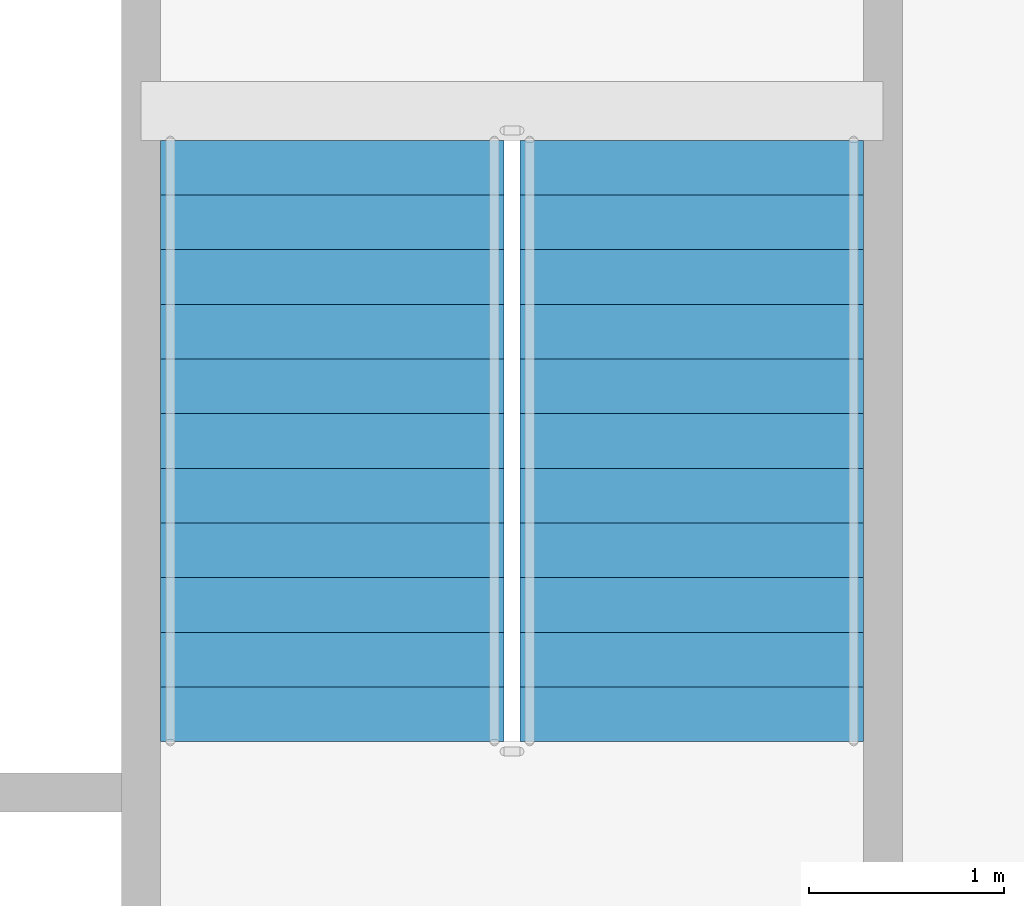
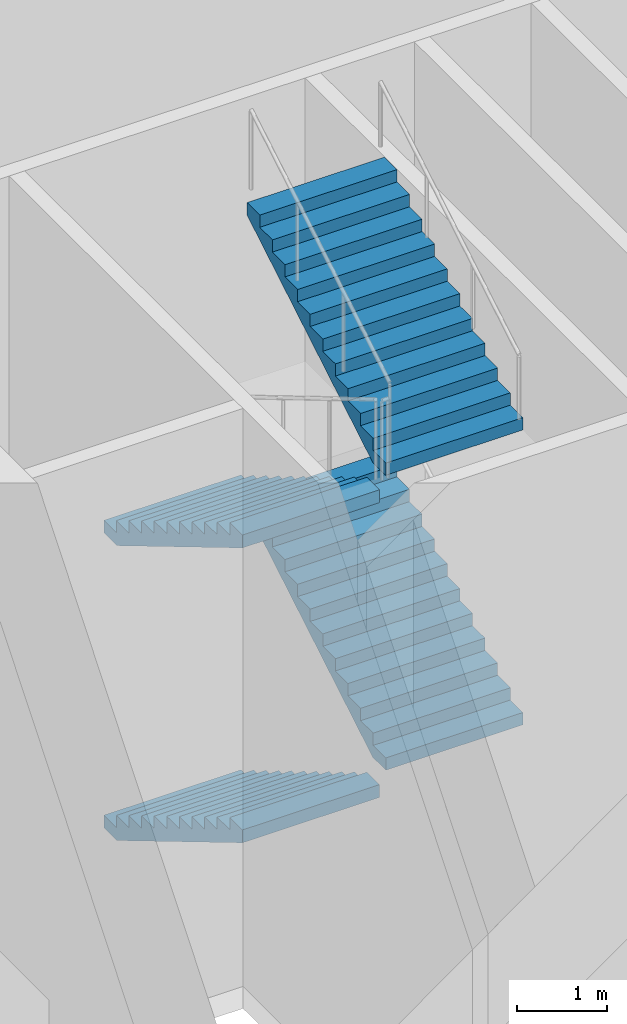
# One storey, part 51 of 63: 4 stair flights, 1 element without a shape of its own.
"""IFC4 building model written with IfcOpenShell, lengths in metres."""

from ifc_helpers import new_model, si_unit, direction, frame, origin, place, context, subcontext, project, spatial, faceted_brep, material, type_object, element, aggregate, save


model = new_model("IFC4")

# Units and contexts
model_context = context("Model", 3, precision=1e-05, world=origin(), true_north=direction((0.0, 1.0)))
body_context = subcontext(model_context, "Body", "Model", "MODEL_VIEW")
ifc_project = project(units=[si_unit("LENGTHUNIT", "METRE"), si_unit("AREAUNIT", "SQUARE_METRE"), si_unit("VOLUMEUNIT", "CUBIC_METRE"), si_unit("PLANEANGLEUNIT", "RADIAN"), si_unit("MASSUNIT", "GRAM", prefix="KILO")], contexts=[model_context])

# Site, building, storey
site_placement = place(None, origin())
site = spatial("IfcSite", under=ifc_project, at=site_placement, CompositionType="ELEMENT")
building_placement = place(site_placement, origin())
building = spatial("IfcBuilding", under=site, at=building_placement, Name="Tarsis Ring Headquarters", CompositionType="ELEMENT")
storey_placement = place(building_placement, frame((0.0, 0.0, 139.60009765625)))
storey = spatial("IfcBuildingStorey", under=building, at=storey_placement, Name="L32", CompositionType="ELEMENT", Elevation=139.60009765625)

# Stair, stair flights
ifc_material_1 = material(Name="Core stair 1760")
stair_type = type_object("IfcStairType", Name="Core stair 1760", PredefinedType="HALF_TURN_STAIR", material=ifc_material_1)
stair_placement = place(storey_placement, origin())
stair = element("IfcStair", 1, at=stair_placement, inside=storey, type_object=stair_type, Name="L32 Exit stair C", PredefinedType="HALF_TURN_STAIR")
ifc_material_2 = material(Name="Concrete C40/50", Category="concrete")
stair_flight_type = type_object("IfcStairFlightType", Name="Core stair flight 1760", PredefinedType="STRAIGHT", material=ifc_material_2)
stair_flight_1_placement = place(storey_placement, frame((-5.419921875, -3.659912109375, 0.0), z_axis=(0.0, 0.0, 1.0), x_axis=(0.0, -1.0, 0.0)))
stair_flight_1 = element("IfcStairFlight", 2, at=stair_flight_1_placement, type_object=stair_flight_type, Name="Stair ST3 flight 1", NumberOfRisers=12, NumberOfTreads=11, PredefinedType="STRAIGHT", RiserHeight=0.166666667, TreadLength=0.28, context=body_context, shape_type="Brep", body=[
    faceted_brep([(0.0, 0.8798828125, 0.0), (0.0, 0.8798828125, 0.166748046875), (0.280029296875, 0.8798828125, 0.166748046875), (0.280029296875, 0.8798828125, 0.333251953125), (0.56005859375, 0.8798828125, 0.333251953125), (0.56005859375, 0.8798828125, 0.5), (0.840087890625, 0.8798828125, 0.5), (0.840087890625, 0.8798828125, 0.666748046875), (1.1201171875, 0.8798828125, 0.666748046875), (1.1201171875, 0.8798828125, 0.833251953125), (1.39990234375, 0.8798828125, 0.833251953125), (1.39990234375, 0.8798828125, 1.0), (1.679931640625, 0.8798828125, 1.0), (1.679931640625, 0.8798828125, 1.166748046875), (1.9599609375, 0.8798828125, 1.166748046875), (1.9599609375, 0.8798828125, 1.333251953125), (2.239990234375, 0.8798828125, 1.333251953125), (2.239990234375, 0.8798828125, 1.5), (2.52001953125, 0.8798828125, 1.5), (2.52001953125, 0.8798828125, 1.666748046875), (2.800048828125, 0.8798828125, 1.666748046875), (2.800048828125, 0.8798828125, 1.833251953125), (3.080078125, 0.8798828125, 1.833251953125), (3.080078125, 0.8798828125, 1.658935546875), (0.29296875, 0.8798828125, 0.0), (0.29296875, -0.8798828125, 0.0), (3.080078125, -0.8798828125, 1.658935546875), (3.080078125, -0.8798828125, 1.833251953125), (2.800048828125, -0.8798828125, 1.833251953125), (2.800048828125, -0.8798828125, 1.666748046875), (2.52001953125, -0.8798828125, 1.666748046875), (2.52001953125, -0.8798828125, 1.5), (2.239990234375, -0.8798828125, 1.5), (2.239990234375, -0.8798828125, 1.333251953125), (1.9599609375, -0.8798828125, 1.333251953125), (1.9599609375, -0.8798828125, 1.166748046875), (1.679931640625, -0.8798828125, 1.166748046875), (1.679931640625, -0.8798828125, 1.0), (1.39990234375, -0.8798828125, 1.0), (1.39990234375, -0.8798828125, 0.833251953125), (1.1201171875, -0.8798828125, 0.833251953125), (1.1201171875, -0.8798828125, 0.666748046875), (0.840087890625, -0.8798828125, 0.666748046875), (0.840087890625, -0.8798828125, 0.5), (0.56005859375, -0.8798828125, 0.5), (0.56005859375, -0.8798828125, 0.333251953125), (0.280029296875, -0.8798828125, 0.333251953125), (0.280029296875, -0.8798828125, 0.166748046875), (0.0, -0.8798828125, 0.166748046875), (0.0, -0.8798828125, 0.0), (0.0, -0.43994140625, 0.166748046875), (0.0, -0.43994140625, 0.0), (0.0, 0.0, 0.166748046875), (0.0, 0.0, 0.0), (0.0, 0.43994140625, 0.166748046875), (0.0, 0.43994140625, 0.0), (0.280029296875, -0.43994140625, 0.166748046875), (0.280029296875, 0.0, 0.166748046875), (0.280029296875, 0.43994140625, 0.166748046875), (0.280029296875, -0.43994140625, 0.333251953125), (0.280029296875, 0.0, 0.333251953125), (0.280029296875, 0.43994140625, 0.333251953125), (0.56005859375, -0.43994140625, 0.333251953125), (0.56005859375, 0.0, 0.333251953125), (0.56005859375, 0.43994140625, 0.333251953125), (0.56005859375, -0.43994140625, 0.5), (0.56005859375, 0.0, 0.5), (0.56005859375, 0.43994140625, 0.5), (0.840087890625, -0.43994140625, 0.5), (0.840087890625, 0.0, 0.5), (0.840087890625, 0.43994140625, 0.5), (0.840087890625, -0.43994140625, 0.666748046875), (0.840087890625, 0.0, 0.666748046875), (0.840087890625, 0.43994140625, 0.666748046875), (1.1201171875, -0.43994140625, 0.666748046875), (1.1201171875, 0.0, 0.666748046875), (1.1201171875, 0.43994140625, 0.666748046875), (1.1201171875, -0.43994140625, 0.833251953125), (1.1201171875, 0.0, 0.833251953125), (1.1201171875, 0.43994140625, 0.833251953125), (1.39990234375, -0.43994140625, 0.833251953125), (1.39990234375, 0.0, 0.833251953125), (1.39990234375, 0.43994140625, 0.833251953125), (1.39990234375, -0.43994140625, 1.0), (1.39990234375, 0.0, 1.0), (1.39990234375, 0.43994140625, 1.0), (1.679931640625, -0.43994140625, 1.0), (1.679931640625, 0.0, 1.0), (1.679931640625, 0.43994140625, 1.0), (1.679931640625, -0.43994140625, 1.166748046875), (1.679931640625, 0.0, 1.166748046875), (1.679931640625, 0.43994140625, 1.166748046875), (1.9599609375, -0.43994140625, 1.166748046875), (1.9599609375, 0.0, 1.166748046875), (1.9599609375, 0.43994140625, 1.166748046875), (1.9599609375, -0.43994140625, 1.333251953125), (1.9599609375, 0.0, 1.333251953125), (1.9599609375, 0.43994140625, 1.333251953125), (2.239990234375, -0.43994140625, 1.333251953125), (2.239990234375, 0.0, 1.333251953125), (2.239990234375, 0.43994140625, 1.333251953125), (2.239990234375, -0.43994140625, 1.5), (2.239990234375, 0.0, 1.5), (2.239990234375, 0.43994140625, 1.5), (2.52001953125, -0.43994140625, 1.5), (2.52001953125, 0.0, 1.5), (2.52001953125, 0.43994140625, 1.5), (2.52001953125, -0.43994140625, 1.666748046875), (2.52001953125, 0.0, 1.666748046875), (2.52001953125, 0.43994140625, 1.666748046875), (2.800048828125, -0.43994140625, 1.666748046875), (2.800048828125, 0.0, 1.666748046875), (2.800048828125, 0.43994140625, 1.666748046875), (2.800048828125, -0.43994140625, 1.833251953125), (2.800048828125, 0.0, 1.833251953125), (2.800048828125, 0.43994140625, 1.833251953125), (3.080078125, -0.43994140625, 1.833251953125), (3.080078125, 0.0, 1.833251953125), (3.080078125, 0.43994140625, 1.833251953125), (3.080078125, -0.43994140625, 1.658935546875), (3.080078125, 0.0, 1.658935546875), (3.080078125, 0.43994140625, 1.658935546875), (0.29296875, -0.43994140625, 0.0), (0.29296875, 0.0, 0.0), (0.29296875, 0.43994140625, 0.0)], [[[0, 1, 2, 3, 4, 5, 6, 7, 8, 9, 10, 11, 12, 13, 14, 15, 16, 17, 18, 19, 20, 21, 22, 23, 24]], [[25, 26, 27, 28, 29, 30, 31, 32, 33, 34, 35, 36, 37, 38, 39, 40, 41, 42, 43, 44, 45, 46, 47, 48, 49]], [[49, 48, 50, 51]], [[51, 50, 52, 53]], [[53, 52, 54, 55]], [[55, 54, 1, 0]], [[48, 47, 56, 50]], [[50, 56, 57, 52]], [[52, 57, 58, 54]], [[54, 58, 2, 1]], [[47, 46, 59, 56]], [[56, 59, 60, 57]], [[57, 60, 61, 58]], [[58, 61, 3, 2]], [[46, 45, 62, 59]], [[59, 62, 63, 60]], [[60, 63, 64, 61]], [[61, 64, 4, 3]], [[45, 44, 65, 62]], [[62, 65, 66, 63]], [[63, 66, 67, 64]], [[64, 67, 5, 4]], [[44, 43, 68, 65]], [[65, 68, 69, 66]], [[66, 69, 70, 67]], [[67, 70, 6, 5]], [[43, 42, 71, 68]], [[68, 71, 72, 69]], [[69, 72, 73, 70]], [[70, 73, 7, 6]], [[42, 41, 74, 71]], [[71, 74, 75, 72]], [[72, 75, 76, 73]], [[73, 76, 8, 7]], [[41, 40, 77, 74]], [[74, 77, 78, 75]], [[75, 78, 79, 76]], [[76, 79, 9, 8]], [[40, 39, 80, 77]], [[77, 80, 81, 78]], [[78, 81, 82, 79]], [[79, 82, 10, 9]], [[39, 38, 83, 80]], [[80, 83, 84, 81]], [[81, 84, 85, 82]], [[82, 85, 11, 10]], [[38, 37, 86, 83]], [[83, 86, 87, 84]], [[84, 87, 88, 85]], [[85, 88, 12, 11]], [[37, 36, 89, 86]], [[86, 89, 90, 87]], [[87, 90, 91, 88]], [[88, 91, 13, 12]], [[36, 35, 92, 89]], [[89, 92, 93, 90]], [[90, 93, 94, 91]], [[91, 94, 14, 13]], [[35, 34, 95, 92]], [[92, 95, 96, 93]], [[93, 96, 97, 94]], [[94, 97, 15, 14]], [[34, 33, 98, 95]], [[95, 98, 99, 96]], [[96, 99, 100, 97]], [[97, 100, 16, 15]], [[33, 32, 101, 98]], [[98, 101, 102, 99]], [[99, 102, 103, 100]], [[100, 103, 17, 16]], [[32, 31, 104, 101]], [[101, 104, 105, 102]], [[102, 105, 106, 103]], [[103, 106, 18, 17]], [[31, 30, 107, 104]], [[104, 107, 108, 105]], [[105, 108, 109, 106]], [[106, 109, 19, 18]], [[30, 29, 110, 107]], [[107, 110, 111, 108]], [[108, 111, 112, 109]], [[109, 112, 20, 19]], [[29, 28, 113, 110]], [[110, 113, 114, 111]], [[111, 114, 115, 112]], [[112, 115, 21, 20]], [[28, 27, 116, 113]], [[113, 116, 117, 114]], [[114, 117, 118, 115]], [[115, 118, 22, 21]], [[27, 26, 119, 116]], [[116, 119, 120, 117]], [[117, 120, 121, 118]], [[118, 121, 23, 22]], [[26, 25, 122, 119]], [[119, 122, 123, 120]], [[120, 123, 124, 121]], [[121, 124, 24, 23]], [[25, 49, 51, 122]], [[122, 51, 53, 123]], [[123, 53, 55, 124]], [[124, 55, 0, 24]]]),
])
stair_flight_2_placement = place(storey_placement, frame((-3.580078125, -6.739990234375, 2.0), z_axis=(0.0, 0.0, 1.0), x_axis=(0.0, 1.0, 0.0)))
stair_flight_2 = element("IfcStairFlight", 3, at=stair_flight_2_placement, type_object=stair_flight_type, Name="Stair ST3 flight 2", NumberOfRisers=12, NumberOfTreads=11, PredefinedType="STRAIGHT", RiserHeight=0.166666667, TreadLength=0.28, context=body_context, shape_type="Brep", body=[
    faceted_brep([(0.0, 0.8798828125, 0.0), (0.0, 0.8798828125, 0.166748046875), (0.280029296875, 0.8798828125, 0.166748046875), (0.280029296875, 0.8798828125, 0.333251953125), (0.56005859375, 0.8798828125, 0.333251953125), (0.56005859375, 0.8798828125, 0.5), (0.840087890625, 0.8798828125, 0.5), (0.840087890625, 0.8798828125, 0.666748046875), (1.1201171875, 0.8798828125, 0.666748046875), (1.1201171875, 0.8798828125, 0.833251953125), (1.39990234375, 0.8798828125, 0.833251953125), (1.39990234375, 0.8798828125, 1.0), (1.679931640625, 0.8798828125, 1.0), (1.679931640625, 0.8798828125, 1.166748046875), (1.9599609375, 0.8798828125, 1.166748046875), (1.9599609375, 0.8798828125, 1.333251953125), (2.239990234375, 0.8798828125, 1.333251953125), (2.239990234375, 0.8798828125, 1.5), (2.52001953125, 0.8798828125, 1.5), (2.52001953125, 0.8798828125, 1.666748046875), (2.800048828125, 0.8798828125, 1.666748046875), (2.800048828125, 0.8798828125, 1.833251953125), (3.080078125, 0.8798828125, 1.833251953125), (3.080078125, 0.8798828125, 1.658935546875), (0.29296875, 0.8798828125, 0.0), (0.29296875, -0.8798828125, 0.0), (3.080078125, -0.8798828125, 1.658935546875), (3.080078125, -0.8798828125, 1.833251953125), (2.800048828125, -0.8798828125, 1.833251953125), (2.800048828125, -0.8798828125, 1.666748046875), (2.52001953125, -0.8798828125, 1.666748046875), (2.52001953125, -0.8798828125, 1.5), (2.239990234375, -0.8798828125, 1.5), (2.239990234375, -0.8798828125, 1.333251953125), (1.9599609375, -0.8798828125, 1.333251953125), (1.9599609375, -0.8798828125, 1.166748046875), (1.679931640625, -0.8798828125, 1.166748046875), (1.679931640625, -0.8798828125, 1.0), (1.39990234375, -0.8798828125, 1.0), (1.39990234375, -0.8798828125, 0.833251953125), (1.1201171875, -0.8798828125, 0.833251953125), (1.1201171875, -0.8798828125, 0.666748046875), (0.840087890625, -0.8798828125, 0.666748046875), (0.840087890625, -0.8798828125, 0.5), (0.56005859375, -0.8798828125, 0.5), (0.56005859375, -0.8798828125, 0.333251953125), (0.280029296875, -0.8798828125, 0.333251953125), (0.280029296875, -0.8798828125, 0.166748046875), (0.0, -0.8798828125, 0.166748046875), (0.0, -0.8798828125, 0.0), (0.0, -0.43994140625, 0.166748046875), (0.0, -0.43994140625, 0.0), (0.0, 0.0, 0.166748046875), (0.0, 0.0, 0.0), (0.0, 0.43994140625, 0.166748046875), (0.0, 0.43994140625, 0.0), (0.280029296875, -0.43994140625, 0.166748046875), (0.280029296875, 0.0, 0.166748046875), (0.280029296875, 0.43994140625, 0.166748046875), (0.280029296875, -0.43994140625, 0.333251953125), (0.280029296875, 0.0, 0.333251953125), (0.280029296875, 0.43994140625, 0.333251953125), (0.56005859375, -0.43994140625, 0.333251953125), (0.56005859375, 0.0, 0.333251953125), (0.56005859375, 0.43994140625, 0.333251953125), (0.56005859375, -0.43994140625, 0.5), (0.56005859375, 0.0, 0.5), (0.56005859375, 0.43994140625, 0.5), (0.840087890625, -0.43994140625, 0.5), (0.840087890625, 0.0, 0.5), (0.840087890625, 0.43994140625, 0.5), (0.840087890625, -0.43994140625, 0.666748046875), (0.840087890625, 0.0, 0.666748046875), (0.840087890625, 0.43994140625, 0.666748046875), (1.1201171875, -0.43994140625, 0.666748046875), (1.1201171875, 0.0, 0.666748046875), (1.1201171875, 0.43994140625, 0.666748046875), (1.1201171875, -0.43994140625, 0.833251953125), (1.1201171875, 0.0, 0.833251953125), (1.1201171875, 0.43994140625, 0.833251953125), (1.39990234375, -0.43994140625, 0.833251953125), (1.39990234375, 0.0, 0.833251953125), (1.39990234375, 0.43994140625, 0.833251953125), (1.39990234375, -0.43994140625, 1.0), (1.39990234375, 0.0, 1.0), (1.39990234375, 0.43994140625, 1.0), (1.679931640625, -0.43994140625, 1.0), (1.679931640625, 0.0, 1.0), (1.679931640625, 0.43994140625, 1.0), (1.679931640625, -0.43994140625, 1.166748046875), (1.679931640625, 0.0, 1.166748046875), (1.679931640625, 0.43994140625, 1.166748046875), (1.9599609375, -0.43994140625, 1.166748046875), (1.9599609375, 0.0, 1.166748046875), (1.9599609375, 0.43994140625, 1.166748046875), (1.9599609375, -0.43994140625, 1.333251953125), (1.9599609375, 0.0, 1.333251953125), (1.9599609375, 0.43994140625, 1.333251953125), (2.239990234375, -0.43994140625, 1.333251953125), (2.239990234375, 0.0, 1.333251953125), (2.239990234375, 0.43994140625, 1.333251953125), (2.239990234375, -0.43994140625, 1.5), (2.239990234375, 0.0, 1.5), (2.239990234375, 0.43994140625, 1.5), (2.52001953125, -0.43994140625, 1.5), (2.52001953125, 0.0, 1.5), (2.52001953125, 0.43994140625, 1.5), (2.52001953125, -0.43994140625, 1.666748046875), (2.52001953125, 0.0, 1.666748046875), (2.52001953125, 0.43994140625, 1.666748046875), (2.800048828125, -0.43994140625, 1.666748046875), (2.800048828125, 0.0, 1.666748046875), (2.800048828125, 0.43994140625, 1.666748046875), (2.800048828125, -0.43994140625, 1.833251953125), (2.800048828125, 0.0, 1.833251953125), (2.800048828125, 0.43994140625, 1.833251953125), (3.080078125, -0.43994140625, 1.833251953125), (3.080078125, 0.0, 1.833251953125), (3.080078125, 0.43994140625, 1.833251953125), (3.080078125, -0.43994140625, 1.658935546875), (3.080078125, 0.0, 1.658935546875), (3.080078125, 0.43994140625, 1.658935546875), (0.29296875, -0.43994140625, 0.0), (0.29296875, 0.0, 0.0), (0.29296875, 0.43994140625, 0.0)], [[[0, 1, 2, 3, 4, 5, 6, 7, 8, 9, 10, 11, 12, 13, 14, 15, 16, 17, 18, 19, 20, 21, 22, 23, 24]], [[25, 26, 27, 28, 29, 30, 31, 32, 33, 34, 35, 36, 37, 38, 39, 40, 41, 42, 43, 44, 45, 46, 47, 48, 49]], [[49, 48, 50, 51]], [[51, 50, 52, 53]], [[53, 52, 54, 55]], [[55, 54, 1, 0]], [[48, 47, 56, 50]], [[50, 56, 57, 52]], [[52, 57, 58, 54]], [[54, 58, 2, 1]], [[47, 46, 59, 56]], [[56, 59, 60, 57]], [[57, 60, 61, 58]], [[58, 61, 3, 2]], [[46, 45, 62, 59]], [[59, 62, 63, 60]], [[60, 63, 64, 61]], [[61, 64, 4, 3]], [[45, 44, 65, 62]], [[62, 65, 66, 63]], [[63, 66, 67, 64]], [[64, 67, 5, 4]], [[44, 43, 68, 65]], [[65, 68, 69, 66]], [[66, 69, 70, 67]], [[67, 70, 6, 5]], [[43, 42, 71, 68]], [[68, 71, 72, 69]], [[69, 72, 73, 70]], [[70, 73, 7, 6]], [[42, 41, 74, 71]], [[71, 74, 75, 72]], [[72, 75, 76, 73]], [[73, 76, 8, 7]], [[41, 40, 77, 74]], [[74, 77, 78, 75]], [[75, 78, 79, 76]], [[76, 79, 9, 8]], [[40, 39, 80, 77]], [[77, 80, 81, 78]], [[78, 81, 82, 79]], [[79, 82, 10, 9]], [[39, 38, 83, 80]], [[80, 83, 84, 81]], [[81, 84, 85, 82]], [[82, 85, 11, 10]], [[38, 37, 86, 83]], [[83, 86, 87, 84]], [[84, 87, 88, 85]], [[85, 88, 12, 11]], [[37, 36, 89, 86]], [[86, 89, 90, 87]], [[87, 90, 91, 88]], [[88, 91, 13, 12]], [[36, 35, 92, 89]], [[89, 92, 93, 90]], [[90, 93, 94, 91]], [[91, 94, 14, 13]], [[35, 34, 95, 92]], [[92, 95, 96, 93]], [[93, 96, 97, 94]], [[94, 97, 15, 14]], [[34, 33, 98, 95]], [[95, 98, 99, 96]], [[96, 99, 100, 97]], [[97, 100, 16, 15]], [[33, 32, 101, 98]], [[98, 101, 102, 99]], [[99, 102, 103, 100]], [[100, 103, 17, 16]], [[32, 31, 104, 101]], [[101, 104, 105, 102]], [[102, 105, 106, 103]], [[103, 106, 18, 17]], [[31, 30, 107, 104]], [[104, 107, 108, 105]], [[105, 108, 109, 106]], [[106, 109, 19, 18]], [[30, 29, 110, 107]], [[107, 110, 111, 108]], [[108, 111, 112, 109]], [[109, 112, 20, 19]], [[29, 28, 113, 110]], [[110, 113, 114, 111]], [[111, 114, 115, 112]], [[112, 115, 21, 20]], [[28, 27, 116, 113]], [[113, 116, 117, 114]], [[114, 117, 118, 115]], [[115, 118, 22, 21]], [[27, 26, 119, 116]], [[116, 119, 120, 117]], [[117, 120, 121, 118]], [[118, 121, 23, 22]], [[26, 25, 122, 119]], [[119, 122, 123, 120]], [[120, 123, 124, 121]], [[121, 124, 24, 23]], [[25, 49, 51, 122]], [[122, 51, 53, 123]], [[123, 53, 55, 124]], [[124, 55, 0, 24]]]),
])
stair_flight_3_placement = place(storey_placement, frame((-5.419921875, -3.659912109375, 4.0), z_axis=(0.0, 0.0, 1.0), x_axis=(0.0, -1.0, 0.0)))
stair_flight_3 = element("IfcStairFlight", 4, at=stair_flight_3_placement, type_object=stair_flight_type, Name="Stair ST3 flight 3", NumberOfRisers=12, NumberOfTreads=11, PredefinedType="STRAIGHT", RiserHeight=0.166666667, TreadLength=0.28, context=body_context, shape_type="Brep", body=[
    faceted_brep([(0.0, 0.8798828125, 0.0), (0.0, 0.8798828125, 0.166748046875), (0.280029296875, 0.8798828125, 0.166748046875), (0.280029296875, 0.8798828125, 0.333251953125), (0.56005859375, 0.8798828125, 0.333251953125), (0.56005859375, 0.8798828125, 0.5), (0.840087890625, 0.8798828125, 0.5), (0.840087890625, 0.8798828125, 0.666748046875), (1.1201171875, 0.8798828125, 0.666748046875), (1.1201171875, 0.8798828125, 0.833251953125), (1.39990234375, 0.8798828125, 0.833251953125), (1.39990234375, 0.8798828125, 1.0), (1.679931640625, 0.8798828125, 1.0), (1.679931640625, 0.8798828125, 1.166748046875), (1.9599609375, 0.8798828125, 1.166748046875), (1.9599609375, 0.8798828125, 1.333251953125), (2.239990234375, 0.8798828125, 1.333251953125), (2.239990234375, 0.8798828125, 1.5), (2.52001953125, 0.8798828125, 1.5), (2.52001953125, 0.8798828125, 1.666748046875), (2.800048828125, 0.8798828125, 1.666748046875), (2.800048828125, 0.8798828125, 1.833251953125), (3.080078125, 0.8798828125, 1.833251953125), (3.080078125, 0.8798828125, 1.658935546875), (0.29296875, 0.8798828125, 0.0), (0.29296875, -0.8798828125, 0.0), (3.080078125, -0.8798828125, 1.658935546875), (3.080078125, -0.8798828125, 1.833251953125), (2.800048828125, -0.8798828125, 1.833251953125), (2.800048828125, -0.8798828125, 1.666748046875), (2.52001953125, -0.8798828125, 1.666748046875), (2.52001953125, -0.8798828125, 1.5), (2.239990234375, -0.8798828125, 1.5), (2.239990234375, -0.8798828125, 1.333251953125), (1.9599609375, -0.8798828125, 1.333251953125), (1.9599609375, -0.8798828125, 1.166748046875), (1.679931640625, -0.8798828125, 1.166748046875), (1.679931640625, -0.8798828125, 1.0), (1.39990234375, -0.8798828125, 1.0), (1.39990234375, -0.8798828125, 0.833251953125), (1.1201171875, -0.8798828125, 0.833251953125), (1.1201171875, -0.8798828125, 0.666748046875), (0.840087890625, -0.8798828125, 0.666748046875), (0.840087890625, -0.8798828125, 0.5), (0.56005859375, -0.8798828125, 0.5), (0.56005859375, -0.8798828125, 0.333251953125), (0.280029296875, -0.8798828125, 0.333251953125), (0.280029296875, -0.8798828125, 0.166748046875), (0.0, -0.8798828125, 0.166748046875), (0.0, -0.8798828125, 0.0), (0.0, -0.43994140625, 0.166748046875), (0.0, -0.43994140625, 0.0), (0.0, 0.0, 0.166748046875), (0.0, 0.0, 0.0), (0.0, 0.43994140625, 0.166748046875), (0.0, 0.43994140625, 0.0), (0.280029296875, -0.43994140625, 0.166748046875), (0.280029296875, 0.0, 0.166748046875), (0.280029296875, 0.43994140625, 0.166748046875), (0.280029296875, -0.43994140625, 0.333251953125), (0.280029296875, 0.0, 0.333251953125), (0.280029296875, 0.43994140625, 0.333251953125), (0.56005859375, -0.43994140625, 0.333251953125), (0.56005859375, 0.0, 0.333251953125), (0.56005859375, 0.43994140625, 0.333251953125), (0.56005859375, -0.43994140625, 0.5), (0.56005859375, 0.0, 0.5), (0.56005859375, 0.43994140625, 0.5), (0.840087890625, -0.43994140625, 0.5), (0.840087890625, 0.0, 0.5), (0.840087890625, 0.43994140625, 0.5), (0.840087890625, -0.43994140625, 0.666748046875), (0.840087890625, 0.0, 0.666748046875), (0.840087890625, 0.43994140625, 0.666748046875), (1.1201171875, -0.43994140625, 0.666748046875), (1.1201171875, 0.0, 0.666748046875), (1.1201171875, 0.43994140625, 0.666748046875), (1.1201171875, -0.43994140625, 0.833251953125), (1.1201171875, 0.0, 0.833251953125), (1.1201171875, 0.43994140625, 0.833251953125), (1.39990234375, -0.43994140625, 0.833251953125), (1.39990234375, 0.0, 0.833251953125), (1.39990234375, 0.43994140625, 0.833251953125), (1.39990234375, -0.43994140625, 1.0), (1.39990234375, 0.0, 1.0), (1.39990234375, 0.43994140625, 1.0), (1.679931640625, -0.43994140625, 1.0), (1.679931640625, 0.0, 1.0), (1.679931640625, 0.43994140625, 1.0), (1.679931640625, -0.43994140625, 1.166748046875), (1.679931640625, 0.0, 1.166748046875), (1.679931640625, 0.43994140625, 1.166748046875), (1.9599609375, -0.43994140625, 1.166748046875), (1.9599609375, 0.0, 1.166748046875), (1.9599609375, 0.43994140625, 1.166748046875), (1.9599609375, -0.43994140625, 1.333251953125), (1.9599609375, 0.0, 1.333251953125), (1.9599609375, 0.43994140625, 1.333251953125), (2.239990234375, -0.43994140625, 1.333251953125), (2.239990234375, 0.0, 1.333251953125), (2.239990234375, 0.43994140625, 1.333251953125), (2.239990234375, -0.43994140625, 1.5), (2.239990234375, 0.0, 1.5), (2.239990234375, 0.43994140625, 1.5), (2.52001953125, -0.43994140625, 1.5), (2.52001953125, 0.0, 1.5), (2.52001953125, 0.43994140625, 1.5), (2.52001953125, -0.43994140625, 1.666748046875), (2.52001953125, 0.0, 1.666748046875), (2.52001953125, 0.43994140625, 1.666748046875), (2.800048828125, -0.43994140625, 1.666748046875), (2.800048828125, 0.0, 1.666748046875), (2.800048828125, 0.43994140625, 1.666748046875), (2.800048828125, -0.43994140625, 1.833251953125), (2.800048828125, 0.0, 1.833251953125), (2.800048828125, 0.43994140625, 1.833251953125), (3.080078125, -0.43994140625, 1.833251953125), (3.080078125, 0.0, 1.833251953125), (3.080078125, 0.43994140625, 1.833251953125), (3.080078125, -0.43994140625, 1.658935546875), (3.080078125, 0.0, 1.658935546875), (3.080078125, 0.43994140625, 1.658935546875), (0.29296875, -0.43994140625, 0.0), (0.29296875, 0.0, 0.0), (0.29296875, 0.43994140625, 0.0)], [[[0, 1, 2, 3, 4, 5, 6, 7, 8, 9, 10, 11, 12, 13, 14, 15, 16, 17, 18, 19, 20, 21, 22, 23, 24]], [[25, 26, 27, 28, 29, 30, 31, 32, 33, 34, 35, 36, 37, 38, 39, 40, 41, 42, 43, 44, 45, 46, 47, 48, 49]], [[49, 48, 50, 51]], [[51, 50, 52, 53]], [[53, 52, 54, 55]], [[55, 54, 1, 0]], [[48, 47, 56, 50]], [[50, 56, 57, 52]], [[52, 57, 58, 54]], [[54, 58, 2, 1]], [[47, 46, 59, 56]], [[56, 59, 60, 57]], [[57, 60, 61, 58]], [[58, 61, 3, 2]], [[46, 45, 62, 59]], [[59, 62, 63, 60]], [[60, 63, 64, 61]], [[61, 64, 4, 3]], [[45, 44, 65, 62]], [[62, 65, 66, 63]], [[63, 66, 67, 64]], [[64, 67, 5, 4]], [[44, 43, 68, 65]], [[65, 68, 69, 66]], [[66, 69, 70, 67]], [[67, 70, 6, 5]], [[43, 42, 71, 68]], [[68, 71, 72, 69]], [[69, 72, 73, 70]], [[70, 73, 7, 6]], [[42, 41, 74, 71]], [[71, 74, 75, 72]], [[72, 75, 76, 73]], [[73, 76, 8, 7]], [[41, 40, 77, 74]], [[74, 77, 78, 75]], [[75, 78, 79, 76]], [[76, 79, 9, 8]], [[40, 39, 80, 77]], [[77, 80, 81, 78]], [[78, 81, 82, 79]], [[79, 82, 10, 9]], [[39, 38, 83, 80]], [[80, 83, 84, 81]], [[81, 84, 85, 82]], [[82, 85, 11, 10]], [[38, 37, 86, 83]], [[83, 86, 87, 84]], [[84, 87, 88, 85]], [[85, 88, 12, 11]], [[37, 36, 89, 86]], [[86, 89, 90, 87]], [[87, 90, 91, 88]], [[88, 91, 13, 12]], [[36, 35, 92, 89]], [[89, 92, 93, 90]], [[90, 93, 94, 91]], [[91, 94, 14, 13]], [[35, 34, 95, 92]], [[92, 95, 96, 93]], [[93, 96, 97, 94]], [[94, 97, 15, 14]], [[34, 33, 98, 95]], [[95, 98, 99, 96]], [[96, 99, 100, 97]], [[97, 100, 16, 15]], [[33, 32, 101, 98]], [[98, 101, 102, 99]], [[99, 102, 103, 100]], [[100, 103, 17, 16]], [[32, 31, 104, 101]], [[101, 104, 105, 102]], [[102, 105, 106, 103]], [[103, 106, 18, 17]], [[31, 30, 107, 104]], [[104, 107, 108, 105]], [[105, 108, 109, 106]], [[106, 109, 19, 18]], [[30, 29, 110, 107]], [[107, 110, 111, 108]], [[108, 111, 112, 109]], [[109, 112, 20, 19]], [[29, 28, 113, 110]], [[110, 113, 114, 111]], [[111, 114, 115, 112]], [[112, 115, 21, 20]], [[28, 27, 116, 113]], [[113, 116, 117, 114]], [[114, 117, 118, 115]], [[115, 118, 22, 21]], [[27, 26, 119, 116]], [[116, 119, 120, 117]], [[117, 120, 121, 118]], [[118, 121, 23, 22]], [[26, 25, 122, 119]], [[119, 122, 123, 120]], [[120, 123, 124, 121]], [[121, 124, 24, 23]], [[25, 49, 51, 122]], [[122, 51, 53, 123]], [[123, 53, 55, 124]], [[124, 55, 0, 24]]]),
])
stair_flight_4_placement = place(storey_placement, frame((-3.580078125, -6.739990234375, 6.0), z_axis=(0.0, 0.0, 1.0), x_axis=(0.0, 1.0, 0.0)))
stair_flight_4 = element("IfcStairFlight", 5, at=stair_flight_4_placement, type_object=stair_flight_type, Name="Stair ST3 flight 4", NumberOfRisers=12, NumberOfTreads=11, PredefinedType="STRAIGHT", RiserHeight=0.166666667, TreadLength=0.28, context=body_context, shape_type="Brep", body=[
    faceted_brep([(0.0, 0.8798828125, 0.0), (0.0, 0.8798828125, 0.166748046875), (0.280029296875, 0.8798828125, 0.166748046875), (0.280029296875, 0.8798828125, 0.333251953125), (0.56005859375, 0.8798828125, 0.333251953125), (0.56005859375, 0.8798828125, 0.5), (0.840087890625, 0.8798828125, 0.5), (0.840087890625, 0.8798828125, 0.666748046875), (1.1201171875, 0.8798828125, 0.666748046875), (1.1201171875, 0.8798828125, 0.833251953125), (1.39990234375, 0.8798828125, 0.833251953125), (1.39990234375, 0.8798828125, 1.0), (1.679931640625, 0.8798828125, 1.0), (1.679931640625, 0.8798828125, 1.166748046875), (1.9599609375, 0.8798828125, 1.166748046875), (1.9599609375, 0.8798828125, 1.333251953125), (2.239990234375, 0.8798828125, 1.333251953125), (2.239990234375, 0.8798828125, 1.5), (2.52001953125, 0.8798828125, 1.5), (2.52001953125, 0.8798828125, 1.666748046875), (2.800048828125, 0.8798828125, 1.666748046875), (2.800048828125, 0.8798828125, 1.833251953125), (3.080078125, 0.8798828125, 1.833251953125), (3.080078125, 0.8798828125, 1.658935546875), (0.29296875, 0.8798828125, 0.0), (0.29296875, -0.8798828125, 0.0), (3.080078125, -0.8798828125, 1.658935546875), (3.080078125, -0.8798828125, 1.833251953125), (2.800048828125, -0.8798828125, 1.833251953125), (2.800048828125, -0.8798828125, 1.666748046875), (2.52001953125, -0.8798828125, 1.666748046875), (2.52001953125, -0.8798828125, 1.5), (2.239990234375, -0.8798828125, 1.5), (2.239990234375, -0.8798828125, 1.333251953125), (1.9599609375, -0.8798828125, 1.333251953125), (1.9599609375, -0.8798828125, 1.166748046875), (1.679931640625, -0.8798828125, 1.166748046875), (1.679931640625, -0.8798828125, 1.0), (1.39990234375, -0.8798828125, 1.0), (1.39990234375, -0.8798828125, 0.833251953125), (1.1201171875, -0.8798828125, 0.833251953125), (1.1201171875, -0.8798828125, 0.666748046875), (0.840087890625, -0.8798828125, 0.666748046875), (0.840087890625, -0.8798828125, 0.5), (0.56005859375, -0.8798828125, 0.5), (0.56005859375, -0.8798828125, 0.333251953125), (0.280029296875, -0.8798828125, 0.333251953125), (0.280029296875, -0.8798828125, 0.166748046875), (0.0, -0.8798828125, 0.166748046875), (0.0, -0.8798828125, 0.0), (0.0, -0.43994140625, 0.166748046875), (0.0, -0.43994140625, 0.0), (0.0, 0.0, 0.166748046875), (0.0, 0.0, 0.0), (0.0, 0.43994140625, 0.166748046875), (0.0, 0.43994140625, 0.0), (0.280029296875, -0.43994140625, 0.166748046875), (0.280029296875, 0.0, 0.166748046875), (0.280029296875, 0.43994140625, 0.166748046875), (0.280029296875, -0.43994140625, 0.333251953125), (0.280029296875, 0.0, 0.333251953125), (0.280029296875, 0.43994140625, 0.333251953125), (0.56005859375, -0.43994140625, 0.333251953125), (0.56005859375, 0.0, 0.333251953125), (0.56005859375, 0.43994140625, 0.333251953125), (0.56005859375, -0.43994140625, 0.5), (0.56005859375, 0.0, 0.5), (0.56005859375, 0.43994140625, 0.5), (0.840087890625, -0.43994140625, 0.5), (0.840087890625, 0.0, 0.5), (0.840087890625, 0.43994140625, 0.5), (0.840087890625, -0.43994140625, 0.666748046875), (0.840087890625, 0.0, 0.666748046875), (0.840087890625, 0.43994140625, 0.666748046875), (1.1201171875, -0.43994140625, 0.666748046875), (1.1201171875, 0.0, 0.666748046875), (1.1201171875, 0.43994140625, 0.666748046875), (1.1201171875, -0.43994140625, 0.833251953125), (1.1201171875, 0.0, 0.833251953125), (1.1201171875, 0.43994140625, 0.833251953125), (1.39990234375, -0.43994140625, 0.833251953125), (1.39990234375, 0.0, 0.833251953125), (1.39990234375, 0.43994140625, 0.833251953125), (1.39990234375, -0.43994140625, 1.0), (1.39990234375, 0.0, 1.0), (1.39990234375, 0.43994140625, 1.0), (1.679931640625, -0.43994140625, 1.0), (1.679931640625, 0.0, 1.0), (1.679931640625, 0.43994140625, 1.0), (1.679931640625, -0.43994140625, 1.166748046875), (1.679931640625, 0.0, 1.166748046875), (1.679931640625, 0.43994140625, 1.166748046875), (1.9599609375, -0.43994140625, 1.166748046875), (1.9599609375, 0.0, 1.166748046875), (1.9599609375, 0.43994140625, 1.166748046875), (1.9599609375, -0.43994140625, 1.333251953125), (1.9599609375, 0.0, 1.333251953125), (1.9599609375, 0.43994140625, 1.333251953125), (2.239990234375, -0.43994140625, 1.333251953125), (2.239990234375, 0.0, 1.333251953125), (2.239990234375, 0.43994140625, 1.333251953125), (2.239990234375, -0.43994140625, 1.5), (2.239990234375, 0.0, 1.5), (2.239990234375, 0.43994140625, 1.5), (2.52001953125, -0.43994140625, 1.5), (2.52001953125, 0.0, 1.5), (2.52001953125, 0.43994140625, 1.5), (2.52001953125, -0.43994140625, 1.666748046875), (2.52001953125, 0.0, 1.666748046875), (2.52001953125, 0.43994140625, 1.666748046875), (2.800048828125, -0.43994140625, 1.666748046875), (2.800048828125, 0.0, 1.666748046875), (2.800048828125, 0.43994140625, 1.666748046875), (2.800048828125, -0.43994140625, 1.833251953125), (2.800048828125, 0.0, 1.833251953125), (2.800048828125, 0.43994140625, 1.833251953125), (3.080078125, -0.43994140625, 1.833251953125), (3.080078125, 0.0, 1.833251953125), (3.080078125, 0.43994140625, 1.833251953125), (3.080078125, -0.43994140625, 1.658935546875), (3.080078125, 0.0, 1.658935546875), (3.080078125, 0.43994140625, 1.658935546875), (0.29296875, -0.43994140625, 0.0), (0.29296875, 0.0, 0.0), (0.29296875, 0.43994140625, 0.0)], [[[0, 1, 2, 3, 4, 5, 6, 7, 8, 9, 10, 11, 12, 13, 14, 15, 16, 17, 18, 19, 20, 21, 22, 23, 24]], [[25, 26, 27, 28, 29, 30, 31, 32, 33, 34, 35, 36, 37, 38, 39, 40, 41, 42, 43, 44, 45, 46, 47, 48, 49]], [[49, 48, 50, 51]], [[51, 50, 52, 53]], [[53, 52, 54, 55]], [[55, 54, 1, 0]], [[48, 47, 56, 50]], [[50, 56, 57, 52]], [[52, 57, 58, 54]], [[54, 58, 2, 1]], [[47, 46, 59, 56]], [[56, 59, 60, 57]], [[57, 60, 61, 58]], [[58, 61, 3, 2]], [[46, 45, 62, 59]], [[59, 62, 63, 60]], [[60, 63, 64, 61]], [[61, 64, 4, 3]], [[45, 44, 65, 62]], [[62, 65, 66, 63]], [[63, 66, 67, 64]], [[64, 67, 5, 4]], [[44, 43, 68, 65]], [[65, 68, 69, 66]], [[66, 69, 70, 67]], [[67, 70, 6, 5]], [[43, 42, 71, 68]], [[68, 71, 72, 69]], [[69, 72, 73, 70]], [[70, 73, 7, 6]], [[42, 41, 74, 71]], [[71, 74, 75, 72]], [[72, 75, 76, 73]], [[73, 76, 8, 7]], [[41, 40, 77, 74]], [[74, 77, 78, 75]], [[75, 78, 79, 76]], [[76, 79, 9, 8]], [[40, 39, 80, 77]], [[77, 80, 81, 78]], [[78, 81, 82, 79]], [[79, 82, 10, 9]], [[39, 38, 83, 80]], [[80, 83, 84, 81]], [[81, 84, 85, 82]], [[82, 85, 11, 10]], [[38, 37, 86, 83]], [[83, 86, 87, 84]], [[84, 87, 88, 85]], [[85, 88, 12, 11]], [[37, 36, 89, 86]], [[86, 89, 90, 87]], [[87, 90, 91, 88]], [[88, 91, 13, 12]], [[36, 35, 92, 89]], [[89, 92, 93, 90]], [[90, 93, 94, 91]], [[91, 94, 14, 13]], [[35, 34, 95, 92]], [[92, 95, 96, 93]], [[93, 96, 97, 94]], [[94, 97, 15, 14]], [[34, 33, 98, 95]], [[95, 98, 99, 96]], [[96, 99, 100, 97]], [[97, 100, 16, 15]], [[33, 32, 101, 98]], [[98, 101, 102, 99]], [[99, 102, 103, 100]], [[100, 103, 17, 16]], [[32, 31, 104, 101]], [[101, 104, 105, 102]], [[102, 105, 106, 103]], [[103, 106, 18, 17]], [[31, 30, 107, 104]], [[104, 107, 108, 105]], [[105, 108, 109, 106]], [[106, 109, 19, 18]], [[30, 29, 110, 107]], [[107, 110, 111, 108]], [[108, 111, 112, 109]], [[109, 112, 20, 19]], [[29, 28, 113, 110]], [[110, 113, 114, 111]], [[111, 114, 115, 112]], [[112, 115, 21, 20]], [[28, 27, 116, 113]], [[113, 116, 117, 114]], [[114, 117, 118, 115]], [[115, 118, 22, 21]], [[27, 26, 119, 116]], [[116, 119, 120, 117]], [[117, 120, 121, 118]], [[118, 121, 23, 22]], [[26, 25, 122, 119]], [[119, 122, 123, 120]], [[120, 123, 124, 121]], [[121, 124, 24, 23]], [[25, 49, 51, 122]], [[122, 51, 53, 123]], [[123, 53, 55, 124]], [[124, 55, 0, 24]]]),
])
aggregate(stair, [stair_flight_1, stair_flight_2, stair_flight_3, stair_flight_4])

save(model, "model.ifc")
